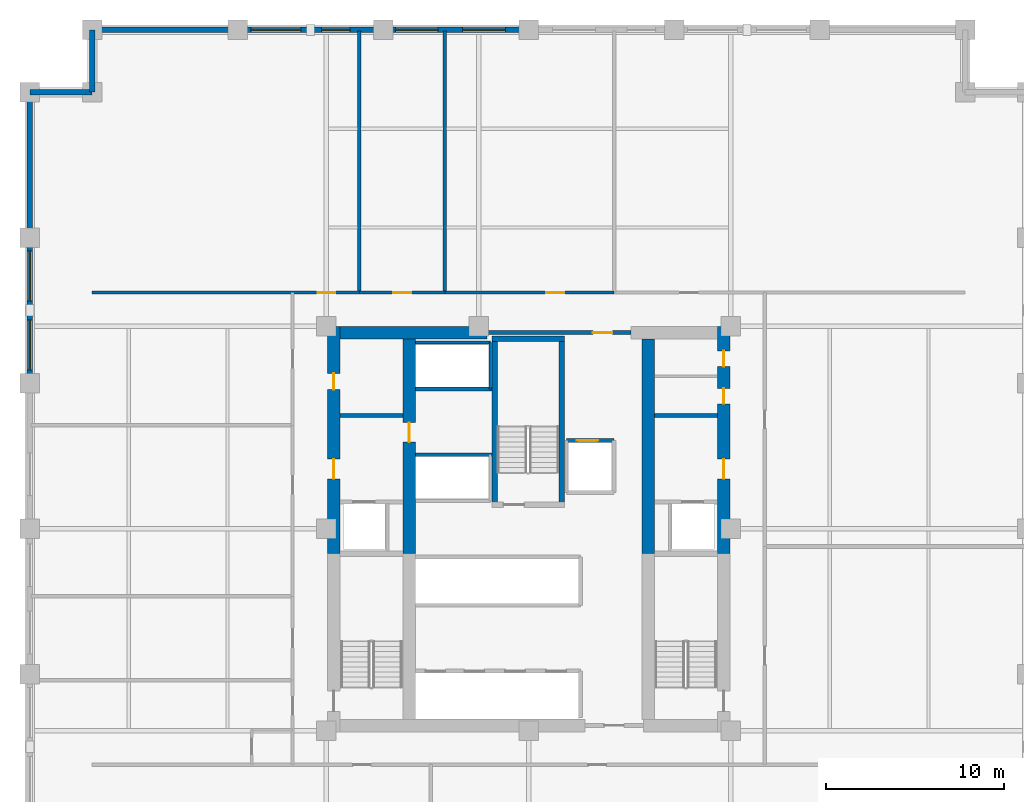
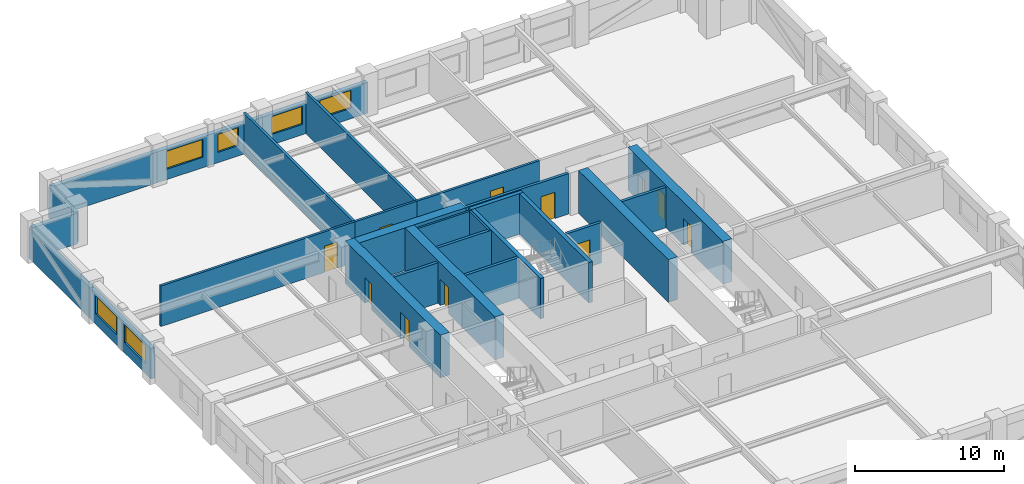
# One storey, part 4 of 6: 28 walls, 11 doors, 6 windows, 17 openings.
"""IFC4 building model written with IfcOpenShell, lengths in metres."""

from ifc_helpers import new_model, si_unit, direction, frame, frame_2d, origin, place, context, subcontext, project, spatial, rectangle, extrude, material, layer, layer_set, type_object, element, fill, save


model = new_model("IFC4")

# Units and contexts
model_context = context("Model", 3, precision=1e-05, world=origin(), true_north=direction((0.0, 1.0)))
body_context = subcontext(model_context, "Body", "Model", "MODEL_VIEW")
ifc_project = project(units=[si_unit("LENGTHUNIT", "METRE"), si_unit("AREAUNIT", "SQUARE_METRE"), si_unit("VOLUMEUNIT", "CUBIC_METRE"), si_unit("PLANEANGLEUNIT", "RADIAN"), si_unit("MASSUNIT", "GRAM", prefix="KILO")], contexts=[model_context])

# Site, building, storey
site_placement = place(None, origin())
site = spatial("IfcSite", under=ifc_project, at=site_placement, CompositionType="ELEMENT")
building_placement = place(site_placement, origin())
building = spatial("IfcBuilding", under=site, at=building_placement, Name="Nhamokura Convention Tower", CompositionType="ELEMENT")
storey_placement = place(building_placement, frame((0.0, 0.0, 82.25)))
storey = spatial("IfcBuildingStorey", under=building, at=storey_placement, Name="L19", CompositionType="ELEMENT", Elevation=82.25)

# Wall
ifc_material_1 = material(Name="Bronze-pigmented precast concrete C45/55", Category="concrete")
ifc_layer_1 = layer(ifc_material_1, 0.320068359375)
ifc_layer_set_1 = layer_set([ifc_layer_1], Name="BronzePrecastSpandrel_320")
wall_type_1 = type_object("IfcWallType", Name="BronzePrecastSpandrel_320", PredefinedType="USERDEFINED", material=ifc_layer_set_1)
wall_1_placement = place(storey_placement, frame((7.5, 60.0, 0.0), z_axis=(0.0, 0.0, 1.0), x_axis=(1.0, 0.0, 0.0)))
element("IfcWall", 1, at=wall_1_placement, inside=storey, type_object=wall_type_1, Name="L19 Braced-Bay Precast Wall NORTH 0", ObjectType="SPANDREL_WALL", PredefinedType="USERDEFINED", context=body_context, shape_type="SweptSolid", body=[
    extrude(rectangle(XDim=8.166748046875, YDim=0.320068359375, at=frame_2d((4.08349609375, 0.0))), origin(), (0.0, 0.0, 1.0), 2.52001953125),
])

# Wall, openings, windows
wall_2_placement = place(storey_placement, frame((15.666748046875, 60.0, 0.0), z_axis=(0.0, 0.0, 1.0), x_axis=(1.0, 0.0, 0.0)))
wall_2 = element("IfcWall", 2, at=wall_2_placement, inside=storey, type_object=wall_type_1, Name="L19 Masonry-Frame Wall NORTH 1", ObjectType="SPANDREL_WALL", PredefinedType="USERDEFINED", context=body_context, shape_type="SweptSolid", body=[
    extrude(rectangle(XDim=8.16650390625, YDim=0.320068359375, at=frame_2d((4.083251953125, 0.0))), origin(), (0.0, 0.0, 1.0), 2.52001953125),
])
opening_1_placement = place(wall_2_placement, frame((0.74169921875, 0.0, 0.85009765625)))
opening_1 = element("IfcOpeningElement", 3, at=opening_1_placement, cuts=wall_2, Name="Opening W-04", PredefinedType="OPENING", context=body_context, shape_type="SweptSolid", body=[
    extrude(rectangle(XDim=2.800048828125, YDim=1.469970703125, at=frame_2d((1.39990234375, 0.73486328125))), frame((0.0, 0.169921875, 0.0), z_axis=(0.0, -1.0, 0.0), x_axis=(1.0, 0.0, 0.0)), (0.0, 0.0, 1.0), 0.340087890625),
])
opening_2_placement = place(wall_2_placement, frame((4.708251953125, 0.0, 0.85009765625)))
opening_2 = element("IfcOpeningElement", 4, at=opening_2_placement, cuts=wall_2, Name="Opening W-11", PredefinedType="OPENING", context=body_context, shape_type="SweptSolid", body=[
    extrude(rectangle(XDim=1.60009765625, YDim=1.469970703125, at=frame_2d((0.800048828125, 0.73486328125))), frame((0.0, 0.169921875, 0.0), z_axis=(0.0, -1.0, 0.0), x_axis=(1.0, 0.0, 0.0)), (0.0, 0.0, 1.0), 0.340087890625),
])
ifc_material_2 = material(Name="Solar-control bronze low-E double glass", Category="glass")
window_type_1 = type_object("IfcWindowType", Name="HotelSuiteWindow_2800", PartitioningType="DOUBLE_PANEL_VERTICAL", PredefinedType="WINDOW", material=ifc_material_2)
window_1_placement = place(opening_1_placement, origin())
window_1 = element("IfcWindow", 5, at=window_1_placement, inside=storey, type_object=window_type_1, Name="L19 Facade Window NORTH 1-1", OverallHeight=1.469970703125, OverallWidth=2.800048828125, PartitioningType="SINGLE_PANEL", PredefinedType="WINDOW", context=body_context, shape_type="SweptSolid", body=[
    extrude(rectangle(XDim=2.800048828125, YDim=1.469970703125, at=frame_2d((1.39990234375, 0.73486328125))), frame((0.0, 0.030029296875, 0.0), z_axis=(0.0, -1.0, 0.0), x_axis=(1.0, 0.0, 0.0)), (0.0, 0.0, 1.0), 0.06005859375),
])
fill(opening_1, window_1)
ifc_material_3 = material(Name="Solar-control bronze low-E double glass", Category="glass")
window_type_2 = type_object("IfcWindowType", Name="NotchCornerWindow_1600", PartitioningType="SINGLE_PANEL", PredefinedType="WINDOW", material=ifc_material_3)
window_2_placement = place(opening_2_placement, origin())
window_2 = element("IfcWindow", 6, at=window_2_placement, inside=storey, type_object=window_type_2, Name="L19 Facade Window NORTH 1-2", OverallHeight=1.469970703125, OverallWidth=1.60009765625, PartitioningType="SINGLE_PANEL", PredefinedType="WINDOW", context=body_context, shape_type="SweptSolid", body=[
    extrude(rectangle(XDim=1.60009765625, YDim=1.469970703125, at=frame_2d((0.800048828125, 0.73486328125))), frame((0.0, 0.030029296875, 0.0), z_axis=(0.0, -1.0, 0.0), x_axis=(1.0, 0.0, 0.0)), (0.0, 0.0, 1.0), 0.06005859375),
])
fill(opening_2, window_2)

wall_3_placement = place(storey_placement, frame((23.833251953125, 60.0, 0.0), z_axis=(0.0, 0.0, 1.0), x_axis=(1.0, 0.0, 0.0)))
wall_3 = element("IfcWall", 7, at=wall_3_placement, inside=storey, type_object=wall_type_1, Name="L19 Masonry-Frame Wall NORTH 2", ObjectType="SPANDREL_WALL", PredefinedType="USERDEFINED", context=body_context, shape_type="SweptSolid", body=[
    extrude(rectangle(XDim=8.166748046875, YDim=0.320068359375, at=frame_2d((4.08349609375, 0.0))), origin(), (0.0, 0.0, 1.0), 2.52001953125),
])
opening_3_placement = place(wall_3_placement, frame((0.683349609375, 0.0, 0.85009765625)))
opening_3 = element("IfcOpeningElement", 8, at=opening_3_placement, cuts=wall_3, Name="Opening W-03", PredefinedType="OPENING", context=body_context, shape_type="SweptSolid", body=[
    extrude(rectangle(XDim=2.39990234375, YDim=1.469970703125, at=frame_2d((1.199951171875, 0.73486328125))), frame((0.0, 0.169921875, 0.0), z_axis=(0.0, -1.0, 0.0), x_axis=(1.0, 0.0, 0.0)), (0.0, 0.0, 1.0), 0.340087890625),
])
opening_4_placement = place(wall_3_placement, frame((4.466796875, 0.0, 0.85009765625)))
opening_4 = element("IfcOpeningElement", 9, at=opening_4_placement, cuts=wall_3, Name="Opening W-03", PredefinedType="OPENING", context=body_context, shape_type="SweptSolid", body=[
    extrude(rectangle(XDim=2.39990234375, YDim=1.469970703125, at=frame_2d((1.199951171875, 0.73486328125))), frame((0.0, 0.169921875, 0.0), z_axis=(0.0, -1.0, 0.0), x_axis=(1.0, 0.0, 0.0)), (0.0, 0.0, 1.0), 0.340087890625),
])
ifc_material_4 = material(Name="Solar-control bronze low-E double glass", Category="glass")
window_type_3 = type_object("IfcWindowType", Name="HotelBayWindow_2400", PartitioningType="DOUBLE_PANEL_VERTICAL", PredefinedType="WINDOW", material=ifc_material_4)
window_3_placement = place(opening_3_placement, origin())
window_3 = element("IfcWindow", 10, at=window_3_placement, inside=storey, type_object=window_type_3, Name="L19 Facade Window NORTH 2-1", OverallHeight=1.469970703125, OverallWidth=2.39990234375, PartitioningType="SINGLE_PANEL", PredefinedType="WINDOW", context=body_context, shape_type="SweptSolid", body=[
    extrude(rectangle(XDim=2.39990234375, YDim=1.469970703125, at=frame_2d((1.199951171875, 0.73486328125))), frame((0.0, 0.030029296875, 0.0), z_axis=(0.0, -1.0, 0.0), x_axis=(1.0, 0.0, 0.0)), (0.0, 0.0, 1.0), 0.06005859375),
])
fill(opening_3, window_3)
window_4_placement = place(opening_4_placement, origin())
window_4 = element("IfcWindow", 11, at=window_4_placement, inside=storey, type_object=window_type_3, Name="L19 Facade Window NORTH 2-2", OverallHeight=1.469970703125, OverallWidth=2.39990234375, PartitioningType="SINGLE_PANEL", PredefinedType="WINDOW", context=body_context, shape_type="SweptSolid", body=[
    extrude(rectangle(XDim=2.39990234375, YDim=1.469970703125, at=frame_2d((1.199951171875, 0.73486328125))), frame((0.0, 0.030029296875, 0.0), z_axis=(0.0, -1.0, 0.0), x_axis=(1.0, 0.0, 0.0)), (0.0, 0.0, 1.0), 0.06005859375),
])
fill(opening_4, window_4)

wall_4_placement = place(storey_placement, frame((4.0, 40.166748046875, 0.0), z_axis=(0.0, 0.0, 1.0), x_axis=(0.0, 1.0, 0.0)))
wall_4 = element("IfcWall", 12, at=wall_4_placement, inside=storey, type_object=wall_type_1, Name="L19 Masonry-Frame Wall WEST 4", ObjectType="SPANDREL_WALL", PredefinedType="USERDEFINED", context=body_context, shape_type="SweptSolid", body=[
    extrude(rectangle(XDim=8.16650390625, YDim=0.320068359375, at=frame_2d((4.083251953125, 0.0))), origin(), (0.0, 0.0, 1.0), 2.52001953125),
])
opening_5_placement = place(wall_4_placement, frame((0.74169921875, 0.0, 0.85009765625)))
opening_5 = element("IfcOpeningElement", 13, at=opening_5_placement, cuts=wall_4, Name="Opening W-04", PredefinedType="OPENING", context=body_context, shape_type="SweptSolid", body=[
    extrude(rectangle(XDim=2.800048828125, YDim=1.469970703125, at=frame_2d((1.39990234375, 0.73486328125))), frame((0.0, 0.169921875, 0.0), z_axis=(0.0, -1.0, 0.0), x_axis=(1.0, 0.0, 0.0)), (0.0, 0.0, 1.0), 0.340087890625),
])
opening_6_placement = place(wall_4_placement, frame((4.625, 0.0, 0.85009765625)))
opening_6 = element("IfcOpeningElement", 14, at=opening_6_placement, cuts=wall_4, Name="Opening W-04", PredefinedType="OPENING", context=body_context, shape_type="SweptSolid", body=[
    extrude(rectangle(XDim=2.800048828125, YDim=1.469970703125, at=frame_2d((1.39990234375, 0.73486328125))), frame((0.0, 0.169921875, 0.0), z_axis=(0.0, -1.0, 0.0), x_axis=(1.0, 0.0, 0.0)), (0.0, 0.0, 1.0), 0.340087890625),
])
window_5_placement = place(opening_5_placement, origin())
window_5 = element("IfcWindow", 15, at=window_5_placement, inside=storey, type_object=window_type_1, Name="L19 Facade Window WEST 4-1", OverallHeight=1.469970703125, OverallWidth=2.800048828125, PartitioningType="SINGLE_PANEL", PredefinedType="WINDOW", context=body_context, shape_type="SweptSolid", body=[
    extrude(rectangle(XDim=2.800048828125, YDim=1.469970703125, at=frame_2d((1.39990234375, 0.73486328125))), frame((0.0, 0.030029296875, 0.0), z_axis=(0.0, -1.0, 0.0), x_axis=(1.0, 0.0, 0.0)), (0.0, 0.0, 1.0), 0.06005859375),
])
fill(opening_5, window_5)
window_6_placement = place(opening_6_placement, origin())
window_6 = element("IfcWindow", 16, at=window_6_placement, inside=storey, type_object=window_type_1, Name="L19 Facade Window WEST 4-2", OverallHeight=1.469970703125, OverallWidth=2.800048828125, PartitioningType="SINGLE_PANEL", PredefinedType="WINDOW", context=body_context, shape_type="SweptSolid", body=[
    extrude(rectangle(XDim=2.800048828125, YDim=1.469970703125, at=frame_2d((1.39990234375, 0.73486328125))), frame((0.0, 0.030029296875, 0.0), z_axis=(0.0, -1.0, 0.0), x_axis=(1.0, 0.0, 0.0)), (0.0, 0.0, 1.0), 0.06005859375),
])
fill(opening_6, window_6)

# Walls
wall_5_placement = place(storey_placement, frame((4.0, 48.333251953125, 0.0), z_axis=(0.0, 0.0, 1.0), x_axis=(0.0, 1.0, 0.0)))
element("IfcWall", 17, at=wall_5_placement, inside=storey, type_object=wall_type_1, Name="L19 Braced-Bay Precast Wall WEST 5", ObjectType="SPANDREL_WALL", PredefinedType="USERDEFINED", context=body_context, shape_type="SweptSolid", body=[
    extrude(rectangle(XDim=8.166748046875, YDim=0.320068359375, at=frame_2d((4.08349609375, 0.0))), origin(), (0.0, 0.0, 1.0), 2.52001953125),
])
for number, where, z_axis, x_axis, name in (
    (18, (7.5, 56.5, 0.0), (0.0, 0.0, 1.0), (0.0, 1.0, 0.0), "L19 Notched Corner Wall NW1"),
    (19, (4.0, 56.5, 0.0), (0.0, 0.0, 1.0), (1.0, 0.0, 0.0), "L19 Notched Corner Wall NW2"),
):
    element("IfcWall", number, at=place(storey_placement, frame(where, z_axis=z_axis, x_axis=x_axis)), inside=storey, type_object=wall_type_1, Name=name, ObjectType="SPANDREL_WALL", PredefinedType="USERDEFINED", context=body_context, shape_type="SweptSolid", body=[
        extrude(rectangle(XDim=3.5, YDim=0.320068359375, at=frame_2d((1.75, 0.0))), origin(), (0.0, 0.0, 1.0), 2.52001953125),
    ])

# Wall, openings, doors
ifc_material_5 = material(Name="Concrete C70/85", Category="concrete")
ifc_layer_2 = layer(ifc_material_5, 0.699951171875)
ifc_layer_set_2 = layer_set([ifc_layer_2], Name="CoreShearWall_700")
wall_type_2 = type_object("IfcWallType", Name="CoreShearWall_700", PredefinedType="SHEAR", material=ifc_layer_set_2)
wall_6_placement = place(storey_placement, frame((21.06005859375, 30.60009765625, 0.0), z_axis=(0.0, 0.0, 1.0), x_axis=(0.0, 1.0, 0.0)))
wall_6 = element("IfcWall", 20, at=wall_6_placement, inside=storey, type_object=wall_type_2, Name="L19 Core Shear Wall CW-WN", PredefinedType="SHEAR", context=body_context, shape_type="SweptSolid", body=[
    extrude(rectangle(XDim=12.75, YDim=0.699951171875, at=frame_2d((6.375, 0.0))), origin(), (0.0, 0.0, 1.0), 3.5),
])
opening_7_placement = place(wall_6_placement, frame((4.199951171875, 0.0, 0.0)))
opening_7 = element("IfcOpeningElement", 21, at=opening_7_placement, cuts=wall_6, Name="Opening D-05", PredefinedType="OPENING", context=body_context, shape_type="SweptSolid", body=[
    extrude(rectangle(XDim=1.10009765625, YDim=2.14990234375, at=frame_2d((0.550048828125, 1.074951171875))), frame((0.0, 0.35986328125, 0.0), z_axis=(0.0, -1.0, 0.0), x_axis=(1.0, 0.0, 0.0)), (0.0, 0.0, 1.0), 0.719970703125),
])
opening_8_placement = place(wall_6_placement, frame((9.199951171875, 0.0, 0.0)))
opening_8 = element("IfcOpeningElement", 22, at=opening_8_placement, cuts=wall_6, Name="Opening D-10", PredefinedType="OPENING", context=body_context, shape_type="SweptSolid", body=[
    extrude(rectangle(XDim=0.919921875, YDim=2.10009765625, at=frame_2d((0.4599609375, 1.050048828125))), frame((0.0, 0.35986328125, 0.0), z_axis=(0.0, -1.0, 0.0), x_axis=(1.0, 0.0, 0.0)), (0.0, 0.0, 1.0), 0.719970703125),
])
ifc_material_6 = material(Name="Solid oak hardwood", Category="wood")
door_type_1 = type_object("IfcDoorType", Name="AccessibleWCDoor_920", OperationType="NOTDEFINED", PredefinedType="DOOR", material=ifc_material_6)
door_1_placement = place(opening_8_placement, origin())
door_1 = element("IfcDoor", 23, at=door_1_placement, inside=storey, type_object=door_type_1, Name="L19 Core Door INT-L19-D-AWC", OperationType="SINGLE_SWING_LEFT", OverallHeight=2.10009765625, OverallWidth=0.919921875, PredefinedType="DOOR", context=body_context, shape_type="SweptSolid", body=[
    extrude(rectangle(XDim=0.919921875, YDim=2.10009765625, at=frame_2d((0.4599609375, 1.050048828125))), frame((0.0, 0.02490234375, 0.0), z_axis=(0.0, -1.0, 0.0), x_axis=(1.0, 0.0, 0.0)), (0.0, 0.0, 1.0), 0.050048828125),
])
fill(opening_8, door_1)
ifc_material_7 = material(Name="Fire-rated steel door", Category="steel")
door_type_2 = type_object("IfcDoorType", Name="FireLobbyDoor_1100", OperationType="NOTDEFINED", PredefinedType="DOOR", material=ifc_material_7)
door_2_placement = place(opening_7_placement, origin())
door_2 = element("IfcDoor", 24, at=door_2_placement, inside=storey, type_object=door_type_2, Name="L19 Core Door INT-L19-D-FFLW", OperationType="SINGLE_SWING_RIGHT", OverallHeight=2.14990234375, OverallWidth=1.10009765625, PredefinedType="DOOR", context=body_context, shape_type="SweptSolid", body=[
    extrude(rectangle(XDim=1.10009765625, YDim=2.14990234375, at=frame_2d((0.550048828125, 1.074951171875))), frame((0.0, 0.02490234375, 0.0), z_axis=(0.0, -1.0, 0.0), x_axis=(1.0, 0.0, 0.0)), (0.0, 0.0, 1.0), 0.050048828125),
])
fill(opening_7, door_2)

wall_7_placement = place(storey_placement, frame((42.93994140625, 30.60009765625, 0.0), z_axis=(0.0, 0.0, 1.0), x_axis=(0.0, 1.0, 0.0)))
wall_7 = element("IfcWall", 25, at=wall_7_placement, inside=storey, type_object=wall_type_2, Name="L19 Core Shear Wall CW-EN", PredefinedType="SHEAR", context=body_context, shape_type="SweptSolid", body=[
    extrude(rectangle(XDim=12.75, YDim=0.699951171875, at=frame_2d((6.375, 0.0))), origin(), (0.0, 0.0, 1.0), 3.5),
])
opening_9_placement = place(wall_7_placement, frame((4.199951171875, 0.0, 0.0)))
opening_9 = element("IfcOpeningElement", 26, at=opening_9_placement, cuts=wall_7, Name="Opening D-05", PredefinedType="OPENING", context=body_context, shape_type="SweptSolid", body=[
    extrude(rectangle(XDim=1.10009765625, YDim=2.14990234375, at=frame_2d((0.550048828125, 1.074951171875))), frame((0.0, 0.35986328125, 0.0), z_axis=(0.0, -1.0, 0.0), x_axis=(1.0, 0.0, 0.0)), (0.0, 0.0, 1.0), 0.719970703125),
])
opening_10_placement = place(wall_7_placement, frame((8.39990234375, 0.0, 0.0)))
opening_10 = element("IfcOpeningElement", 27, at=opening_10_placement, cuts=wall_7, Name="Opening D-11", PredefinedType="OPENING", context=body_context, shape_type="SweptSolid", body=[
    extrude(rectangle(XDim=0.8798828125, YDim=2.10009765625, at=frame_2d((0.43994140625, 1.050048828125))), frame((0.0, 0.35986328125, 0.0), z_axis=(0.0, -1.0, 0.0), x_axis=(1.0, 0.0, 0.0)), (0.0, 0.0, 1.0), 0.719970703125),
])
opening_11_placement = place(wall_7_placement, frame((10.5, 0.0, 0.0)))
opening_11 = element("IfcOpeningElement", 28, at=opening_11_placement, cuts=wall_7, Name="Opening D-11", PredefinedType="OPENING", context=body_context, shape_type="SweptSolid", body=[
    extrude(rectangle(XDim=0.8798828125, YDim=2.10009765625, at=frame_2d((0.43994140625, 1.050048828125))), frame((0.0, 0.35986328125, 0.0), z_axis=(0.0, -1.0, 0.0), x_axis=(1.0, 0.0, 0.0)), (0.0, 0.0, 1.0), 0.719970703125),
])
ifc_material_8 = material(Name="Solid oak hardwood", Category="wood")
door_type_3 = type_object("IfcDoorType", Name="BathroomDoor_880", OperationType="NOTDEFINED", PredefinedType="DOOR", material=ifc_material_8)
door_3_placement = place(opening_10_placement, origin())
door_3 = element("IfcDoor", 29, at=door_3_placement, inside=storey, type_object=door_type_3, Name="L19 Core Door INT-L19-D-MWC", OperationType="SINGLE_SWING_RIGHT", OverallHeight=2.10009765625, OverallWidth=0.8798828125, PredefinedType="DOOR", context=body_context, shape_type="SweptSolid", body=[
    extrude(rectangle(XDim=0.8798828125, YDim=2.10009765625, at=frame_2d((0.43994140625, 1.050048828125))), frame((0.0, 0.02490234375, 0.0), z_axis=(0.0, -1.0, 0.0), x_axis=(1.0, 0.0, 0.0)), (0.0, 0.0, 1.0), 0.050048828125),
])
fill(opening_10, door_3)
door_4_placement = place(opening_11_placement, origin())
door_4 = element("IfcDoor", 30, at=door_4_placement, inside=storey, type_object=door_type_3, Name="L19 Core Door INT-L19-D-FWC", OperationType="SINGLE_SWING_LEFT", OverallHeight=2.10009765625, OverallWidth=0.8798828125, PredefinedType="DOOR", context=body_context, shape_type="SweptSolid", body=[
    extrude(rectangle(XDim=0.8798828125, YDim=2.10009765625, at=frame_2d((0.43994140625, 1.050048828125))), frame((0.0, 0.02490234375, 0.0), z_axis=(0.0, -1.0, 0.0), x_axis=(1.0, 0.0, 0.0)), (0.0, 0.0, 1.0), 0.050048828125),
])
fill(opening_11, door_4)
door_5_placement = place(opening_9_placement, origin())
door_5 = element("IfcDoor", 31, at=door_5_placement, inside=storey, type_object=door_type_2, Name="L19 Core Door INT-L19-D-FFLE", OperationType="SINGLE_SWING_LEFT", OverallHeight=2.14990234375, OverallWidth=1.10009765625, PredefinedType="DOOR", context=body_context, shape_type="SweptSolid", body=[
    extrude(rectangle(XDim=1.10009765625, YDim=2.14990234375, at=frame_2d((0.550048828125, 1.074951171875))), frame((0.0, 0.02490234375, 0.0), z_axis=(0.0, -1.0, 0.0), x_axis=(1.0, 0.0, 0.0)), (0.0, 0.0, 1.0), 0.050048828125),
])
fill(opening_9, door_5)

# Wall
wall_8_placement = place(storey_placement, frame((21.409912109375, 43.0, 0.0), z_axis=(0.0, 0.0, 1.0), x_axis=(1.0, 0.0, 0.0)))
element("IfcWall", 32, at=wall_8_placement, inside=storey, type_object=wall_type_2, Name="L19 Core Shear Wall CW-N1", PredefinedType="SHEAR", context=body_context, shape_type="SweptSolid", body=[
    extrude(rectangle(XDim=8.239990234375, YDim=0.699951171875, at=frame_2d((4.1201171875, 0.0))), origin(), (0.0, 0.0, 1.0), 3.5),
])

# Wall, opening, door
wall_9_placement = place(storey_placement, frame((25.2900390625, 30.60009765625, 0.0), z_axis=(0.0, 0.0, 1.0), x_axis=(0.0, 1.0, 0.0)))
wall_9 = element("IfcWall", 33, at=wall_9_placement, inside=storey, type_object=wall_type_2, Name="L19 Core Shear Wall CW-IWN", PredefinedType="SHEAR", context=body_context, shape_type="SweptSolid", body=[
    extrude(rectangle(XDim=12.0498046875, YDim=0.699951171875, at=frame_2d((6.02490234375, 0.0))), origin(), (0.0, 0.0, 1.0), 3.5),
])
opening_12_placement = place(wall_9_placement, frame((6.25, 0.0, 0.0)))
opening_12 = element("IfcOpeningElement", 34, at=opening_12_placement, cuts=wall_9, Name="Opening D-05", PredefinedType="OPENING", context=body_context, shape_type="SweptSolid", body=[
    extrude(rectangle(XDim=1.10009765625, YDim=2.14990234375, at=frame_2d((0.550048828125, 1.074951171875))), frame((0.0, 0.35986328125, 0.0), z_axis=(0.0, -1.0, 0.0), x_axis=(1.0, 0.0, 0.0)), (0.0, 0.0, 1.0), 0.719970703125),
])
door_6_placement = place(opening_12_placement, origin())
door_6 = element("IfcDoor", 35, at=door_6_placement, inside=storey, type_object=door_type_2, Name="L19 Core Door INT-L19-D-B3LOB", OperationType="SINGLE_SWING_LEFT", OverallHeight=2.14990234375, OverallWidth=1.10009765625, PredefinedType="DOOR", context=body_context, shape_type="SweptSolid", body=[
    extrude(rectangle(XDim=1.10009765625, YDim=2.14990234375, at=frame_2d((0.550048828125, 1.074951171875))), frame((0.0, 0.02490234375, 0.0), z_axis=(0.0, -1.0, 0.0), x_axis=(1.0, 0.0, 0.0)), (0.0, 0.0, 1.0), 0.050048828125),
])
fill(opening_12, door_6)

# Wall
wall_10_placement = place(storey_placement, frame((38.7099609375, 30.60009765625, 0.0), z_axis=(0.0, 0.0, 1.0), x_axis=(0.0, 1.0, 0.0)))
element("IfcWall", 36, at=wall_10_placement, inside=storey, type_object=wall_type_2, Name="L19 Core Shear Wall CW-IEN", PredefinedType="SHEAR", context=body_context, shape_type="SweptSolid", body=[
    extrude(rectangle(XDim=12.0498046875, YDim=0.699951171875, at=frame_2d((6.02490234375, 0.0))), origin(), (0.0, 0.0, 1.0), 3.5),
])

# Wall, opening, door
ifc_material_9 = material(Name="Fire-rated gypsum and masonry partition", Category="masonry")
ifc_layer_3 = layer(ifc_material_9, 0.179931640625)
ifc_layer_set_3 = layer_set([ifc_layer_3], Name="CorridorRatedWall_180")
wall_type_3 = type_object("IfcWallType", Name="CorridorRatedWall_180", PredefinedType="STANDARD", material=ifc_layer_set_3)
wall_11_placement = place(storey_placement, frame((7.5, 45.25, 0.0), z_axis=(0.0, 0.0, 1.0), x_axis=(1.0, 0.0, 0.0)))
wall_11 = element("IfcWall", 37, at=wall_11_placement, inside=storey, type_object=wall_type_3, Name="L19 Wall INT-L19-CW-N00", PredefinedType="STANDARD", context=body_context, shape_type="SweptSolid", body=[
    extrude(rectangle(XDim=15.0, YDim=0.179931640625, at=frame_2d((7.5, 0.0))), origin(), (0.0, 0.0, 1.0), 3.320068359375),
])
opening_13_placement = place(wall_11_placement, frame((12.64990234375, 0.0, 0.0)))
opening_13 = element("IfcOpeningElement", 38, at=opening_13_placement, cuts=wall_11, Name="Opening D-07", PredefinedType="OPENING", context=body_context, shape_type="SweptSolid", body=[
    extrude(rectangle(XDim=1.0, YDim=2.14990234375, at=frame_2d((0.5, 1.074951171875))), frame((0.0, 0.099853515625, 0.0), z_axis=(0.0, -1.0, 0.0), x_axis=(1.0, 0.0, 0.0)), (0.0, 0.0, 1.0), 0.199951171875),
])
ifc_material_10 = material(Name="Solid oak hardwood", Category="wood")
door_type_4 = type_object("IfcDoorType", Name="HotelSuiteEntryDoor_1000", OperationType="NOTDEFINED", PredefinedType="DOOR", material=ifc_material_10)
door_7_placement = place(opening_13_placement, origin())
door_7 = element("IfcDoor", 39, at=door_7_placement, inside=storey, type_object=door_type_4, Name="L19 Conference Salon N01 Door", OperationType="SINGLE_SWING_LEFT", OverallHeight=2.14990234375, OverallWidth=1.0, PredefinedType="DOOR", context=body_context, shape_type="SweptSolid", body=[
    extrude(rectangle(XDim=1.0, YDim=2.14990234375, at=frame_2d((0.5, 1.074951171875))), frame((0.0, 0.02490234375, 0.0), z_axis=(0.0, -1.0, 0.0), x_axis=(1.0, 0.0, 0.0)), (0.0, 0.0, 1.0), 0.050048828125),
])
fill(opening_13, door_7)

wall_12_placement = place(storey_placement, frame((22.5, 45.25, 0.0), z_axis=(0.0, 0.0, 1.0), x_axis=(1.0, 0.0, 0.0)))
wall_12 = element("IfcWall", 40, at=wall_12_placement, inside=storey, type_object=wall_type_3, Name="L19 Wall INT-L19-CW-N01", PredefinedType="STANDARD", context=body_context, shape_type="SweptSolid", body=[
    extrude(rectangle(XDim=4.800048828125, YDim=0.179931640625, at=frame_2d((2.39990234375, 0.0))), origin(), (0.0, 0.0, 1.0), 3.320068359375),
])
opening_14_placement = place(wall_12_placement, frame((1.89990234375, 0.0, 0.0)))
opening_14 = element("IfcOpeningElement", 41, at=opening_14_placement, cuts=wall_12, Name="Opening D-07", PredefinedType="OPENING", context=body_context, shape_type="SweptSolid", body=[
    extrude(rectangle(XDim=1.0, YDim=2.14990234375, at=frame_2d((0.5, 1.074951171875))), frame((0.0, 0.099853515625, 0.0), z_axis=(0.0, -1.0, 0.0), x_axis=(1.0, 0.0, 0.0)), (0.0, 0.0, 1.0), 0.199951171875),
])
door_8_placement = place(opening_14_placement, origin())
door_8 = element("IfcDoor", 42, at=door_8_placement, inside=storey, type_object=door_type_4, Name="L19 Meeting Room N02 Door", OperationType="SINGLE_SWING_RIGHT", OverallHeight=2.14990234375, OverallWidth=1.0, PredefinedType="DOOR", context=body_context, shape_type="SweptSolid", body=[
    extrude(rectangle(XDim=1.0, YDim=2.14990234375, at=frame_2d((0.5, 1.074951171875))), frame((0.0, 0.02490234375, 0.0), z_axis=(0.0, -1.0, 0.0), x_axis=(1.0, 0.0, 0.0)), (0.0, 0.0, 1.0), 0.050048828125),
])
fill(opening_14, door_8)

wall_13_placement = place(storey_placement, frame((27.300048828125, 45.25, 0.0), z_axis=(0.0, 0.0, 1.0), x_axis=(1.0, 0.0, 0.0)))
wall_13 = element("IfcWall", 43, at=wall_13_placement, inside=storey, type_object=wall_type_3, Name="L19 Wall INT-L19-CW-N02", PredefinedType="STANDARD", context=body_context, shape_type="SweptSolid", body=[
    extrude(rectangle(XDim=9.5, YDim=0.179931640625, at=frame_2d((4.75, 0.0))), origin(), (0.0, 0.0, 1.0), 3.320068359375),
])
opening_15_placement = place(wall_13_placement, frame((5.699951171875, 0.0, 0.0)))
opening_15 = element("IfcOpeningElement", 44, at=opening_15_placement, cuts=wall_13, Name="Opening D-07", PredefinedType="OPENING", context=body_context, shape_type="SweptSolid", body=[
    extrude(rectangle(XDim=1.0, YDim=2.14990234375, at=frame_2d((0.5, 1.074951171875))), frame((0.0, 0.099853515625, 0.0), z_axis=(0.0, -1.0, 0.0), x_axis=(1.0, 0.0, 0.0)), (0.0, 0.0, 1.0), 0.199951171875),
])
door_9_placement = place(opening_15_placement, origin())
door_9 = element("IfcDoor", 45, at=door_9_placement, inside=storey, type_object=door_type_4, Name="L19 Conference Salon N03 Door", OperationType="SINGLE_SWING_LEFT", OverallHeight=2.14990234375, OverallWidth=1.0, PredefinedType="DOOR", context=body_context, shape_type="SweptSolid", body=[
    extrude(rectangle(XDim=1.0, YDim=2.14990234375, at=frame_2d((0.5, 1.074951171875))), frame((0.0, 0.02490234375, 0.0), z_axis=(0.0, -1.0, 0.0), x_axis=(1.0, 0.0, 0.0)), (0.0, 0.0, 1.0), 0.050048828125),
])
fill(opening_15, door_9)

# Walls
ifc_material_11 = material(Name="Autoclaved concrete blockwork", Category="masonry")
ifc_layer_4 = layer(ifc_material_11, 0.219970703125)
ifc_layer_set_4 = layer_set([ifc_layer_4], Name="FireLobbyWall_220")
wall_type_4 = type_object("IfcWallType", Name="FireLobbyWall_220", PredefinedType="STANDARD", material=ifc_layer_set_4)
for number, where, z_axis, x_axis, name in (
    (46, (21.409912109375, 38.35009765625, 0.0), (0.0, 0.0, 1.0), (1.0, 0.0, 0.0), "L19 Wall INT-L19-FFW-N"),
    (47, (39.06005859375, 38.35009765625, 0.0), (0.0, 0.0, 1.0), (1.0, 0.0, 0.0), "L19 Wall INT-L19-FFE-N"),
):
    element("IfcWall", number, at=place(storey_placement, frame(where, z_axis=z_axis, x_axis=x_axis)), inside=storey, type_object=wall_type_4, Name=name, PredefinedType="STANDARD", context=body_context, shape_type="SweptSolid", body=[
        extrude(rectangle(XDim=3.530029296875, YDim=0.219970703125, at=frame_2d((1.76513671875, 0.0))), origin(), (0.0, 0.0, 1.0), 3.320068359375),
    ])
for number, where, z_axis, x_axis, name in (
    (48, (25.64990234375, 36.14990234375, 0.0), (0.0, 0.0, 1.0), (1.0, 0.0, 0.0), "L19 Wall INT-L19-B3S"),
    (49, (25.64990234375, 39.85009765625, 0.0), (0.0, 0.0, 1.0), (1.0, 0.0, 0.0), "L19 Wall INT-L19-B3N"),
):
    element("IfcWall", number, at=place(storey_placement, frame(where, z_axis=z_axis, x_axis=x_axis)), inside=storey, type_object=wall_type_4, Name=name, PredefinedType="STANDARD", context=body_context, shape_type="SweptSolid", body=[
        extrude(rectangle(XDim=4.300048828125, YDim=0.219970703125, at=frame_2d((2.14990234375, 0.0))), origin(), (0.0, 0.0, 1.0), 3.320068359375),
    ])

# Wall, opening, door
wall_14_placement = place(storey_placement, frame((29.64990234375, 43.0, 0.0), z_axis=(0.0, 0.0, 1.0), x_axis=(1.0, 0.0, 0.0)))
wall_14 = element("IfcWall", 50, at=wall_14_placement, inside=storey, type_object=wall_type_4, Name="L19 Wall INT-L19-CPORT-N", PredefinedType="STANDARD", context=body_context, shape_type="SweptSolid", body=[
    extrude(rectangle(XDim=8.10009765625, YDim=0.219970703125, at=frame_2d((4.050048828125, 0.0))), origin(), (0.0, 0.0, 1.0), 3.320068359375),
])
opening_16_placement = place(wall_14_placement, frame((5.949951171875, 0.0, 0.0)))
opening_16 = element("IfcOpeningElement", 51, at=opening_16_placement, cuts=wall_14, Name="Opening D-05", PredefinedType="OPENING", context=body_context, shape_type="SweptSolid", body=[
    extrude(rectangle(XDim=1.10009765625, YDim=2.14990234375, at=frame_2d((0.550048828125, 1.074951171875))), frame((0.0, 0.119873046875, 0.0), z_axis=(0.0, -1.0, 0.0), x_axis=(1.0, 0.0, 0.0)), (0.0, 0.0, 1.0), 0.239990234375),
])
door_10_placement = place(opening_16_placement, origin())
door_10 = element("IfcDoor", 52, at=door_10_placement, inside=storey, type_object=door_type_2, Name="L19 North Core Lobby Portal Door", OperationType="SINGLE_SWING_RIGHT", OverallHeight=2.14990234375, OverallWidth=1.10009765625, PredefinedType="DOOR", context=body_context, shape_type="SweptSolid", body=[
    extrude(rectangle(XDim=1.10009765625, YDim=2.14990234375, at=frame_2d((0.550048828125, 1.074951171875))), frame((0.0, 0.02490234375, 0.0), z_axis=(0.0, -1.0, 0.0), x_axis=(1.0, 0.0, 0.0)), (0.0, 0.0, 1.0), 0.050048828125),
])
fill(opening_16, door_10)

wall_15_placement = place(storey_placement, frame((34.1201171875, 36.949951171875, 0.0), z_axis=(0.0, 0.0, 1.0), x_axis=(1.0, 0.0, 0.0)))
wall_15 = element("IfcWall", 53, at=wall_15_placement, inside=storey, type_object=wall_type_4, Name="L19 Wall INT-L19-LSN", PredefinedType="STANDARD", context=body_context, shape_type="SweptSolid", body=[
    extrude(rectangle(XDim=2.679931640625, YDim=0.219970703125, at=frame_2d((1.33984375, 0.0))), origin(), (0.0, 0.0, 1.0), 3.320068359375),
])
opening_17_placement = place(wall_15_placement, frame((0.580078125, 0.0, 0.0)))
opening_17 = element("IfcOpeningElement", 54, at=opening_17_placement, cuts=wall_15, Name="Opening LD-02", PredefinedType="OPENING", context=body_context, shape_type="SweptSolid", body=[
    extrude(rectangle(XDim=1.199951171875, YDim=2.199951171875, at=frame_2d((0.60009765625, 1.10009765625))), frame((0.0, 0.119873046875, 0.0), z_axis=(0.0, -1.0, 0.0), x_axis=(1.0, 0.0, 0.0)), (0.0, 0.0, 1.0), 0.239990234375),
])
ifc_material_12 = material(Name="Anodised bronze stainless steel", Category="steel")
door_type_5 = type_object("IfcDoorType", Name="LiftLandingDoor_FireService", OperationType="DOUBLE_DOOR_SLIDING", PredefinedType="DOOR", material=ifc_material_12)
door_11_placement = place(opening_17_placement, origin())
door_11 = element("IfcDoor", 55, at=door_11_placement, inside=storey, type_object=door_type_5, Name="L19 Service Lift LS-01 Door", OperationType="DOUBLE_DOOR_SLIDING", OverallHeight=2.199951171875, OverallWidth=1.199951171875, PredefinedType="DOOR", context=body_context, shape_type="SweptSolid", body=[
    extrude(rectangle(XDim=1.199951171875, YDim=2.199951171875, at=frame_2d((0.60009765625, 1.10009765625))), frame((0.0, 0.02490234375, 0.0), z_axis=(0.0, -1.0, 0.0), x_axis=(1.0, 0.0, 0.0)), (0.0, 0.0, 1.0), 0.050048828125),
])
fill(opening_17, door_11)

# Walls
ifc_material_13 = material(Name="Acoustic twin-stud gypsum partition", Category="masonry")
ifc_layer_5 = layer(ifc_material_13, 0.199951171875)
ifc_layer_set_5 = layer_set([ifc_layer_5], Name="HotelDemisingWall_200")
wall_type_5 = type_object("IfcWallType", Name="HotelDemisingWall_200", PredefinedType="STANDARD", material=ifc_layer_set_5)
for number, where, z_axis, x_axis, name in (
    (56, (22.5, 45.25, 0.0), (0.0, 0.0, 1.0), (0.0, 1.0, 0.0), "L19 Wall INT-L19-RW-N01"),
    (57, (27.300048828125, 45.25, 0.0), (0.0, 0.0, 1.0), (0.0, 1.0, 0.0), "L19 Wall INT-L19-RW-N02"),
):
    element("IfcWall", number, at=place(storey_placement, frame(where, z_axis=z_axis, x_axis=x_axis)), inside=storey, type_object=wall_type_5, Name=name, PredefinedType="STANDARD", context=body_context, shape_type="SweptSolid", body=[
        extrude(rectangle(XDim=14.68994140625, YDim=0.199951171875, at=frame_2d((7.344970703125, 0.0))), origin(), (0.0, 0.0, 1.0), 3.320068359375),
    ])
ifc_material_14 = material(Name="Acoustic gypsum stud partition", Category="masonry")
ifc_layer_6 = layer(ifc_material_14, 0.14990234375)
ifc_layer_set_6 = layer_set([ifc_layer_6], Name="InteriorPartition_150")
wall_type_6 = type_object("IfcWallType", Name="InteriorPartition_150", PredefinedType="STANDARD", material=ifc_layer_set_6)
wall_16_placement = place(storey_placement, frame((25.64990234375, 42.449951171875, 0.0), z_axis=(0.0, 0.0, 1.0), x_axis=(1.0, 0.0, 0.0)))
element("IfcWall", 58, at=wall_16_placement, inside=storey, type_object=wall_type_6, Name="L19 Wall INT-L19-B3B-N", PredefinedType="STANDARD", context=body_context, shape_type="SweptSolid", body=[
    extrude(rectangle(XDim=4.2001953125, YDim=0.14990234375, at=frame_2d((2.10009765625, 0.0))), origin(), (0.0, 0.0, 1.0), 3.320068359375),
])
wall_17_placement = place(storey_placement, frame((29.85009765625, 39.85009765625, 0.0), z_axis=(0.0, 0.0, 1.0), x_axis=(0.0, 1.0, 0.0)))
element("IfcWall", 59, at=wall_17_placement, inside=storey, type_object=wall_type_6, Name="L19 Wall INT-L19-B3B-E", PredefinedType="STANDARD", context=body_context, shape_type="SweptSolid", body=[
    extrude(rectangle(XDim=2.599853515625, YDim=0.14990234375, at=frame_2d((1.2998046875, 0.0))), origin(), (0.0, 0.0, 1.0), 3.320068359375),
])
ifc_material_15 = material(Name="Concrete C50/60", Category="concrete")
ifc_layer_7 = layer(ifc_material_15, 0.300048828125)
ifc_layer_set_7 = layer_set([ifc_layer_7], Name="ShaftEnclosureWall_300")
wall_type_7 = type_object("IfcWallType", Name="ShaftEnclosureWall_300", PredefinedType="SHEAR", material=ifc_layer_set_7)
for number, where, z_axis, x_axis, name in (
    (60, (30.10009765625, 33.199951171875, 0.0), (0.0, 0.0, 1.0), (0.0, 1.0, 0.0), "L19 Wall INT-L19-ST03W"),
    (61, (33.85009765625, 33.199951171875, 0.0), (0.0, 0.0, 1.0), (0.0, 1.0, 0.0), "L19 Wall INT-L19-ST03E"),
):
    element("IfcWall", number, at=place(storey_placement, frame(where, z_axis=z_axis, x_axis=x_axis)), inside=storey, type_object=wall_type_7, Name=name, PredefinedType="SHEAR", context=body_context, shape_type="SweptSolid", body=[
        extrude(rectangle(XDim=9.60009765625, YDim=0.300048828125, at=frame_2d((4.800048828125, 0.0))), origin(), (0.0, 0.0, 1.0), 3.320068359375),
    ])
wall_18_placement = place(storey_placement, frame((29.949951171875, 42.64990234375, 0.0), z_axis=(0.0, 0.0, 1.0), x_axis=(1.0, 0.0, 0.0)))
element("IfcWall", 62, at=wall_18_placement, inside=storey, type_object=wall_type_7, Name="L19 Wall INT-L19-ST03N", PredefinedType="SHEAR", context=body_context, shape_type="SweptSolid", body=[
    extrude(rectangle(XDim=4.050048828125, YDim=0.300048828125, at=frame_2d((2.02490234375, 0.0))), origin(), (0.0, 0.0, 1.0), 3.320068359375),
])

save(model, "model.ifc")
